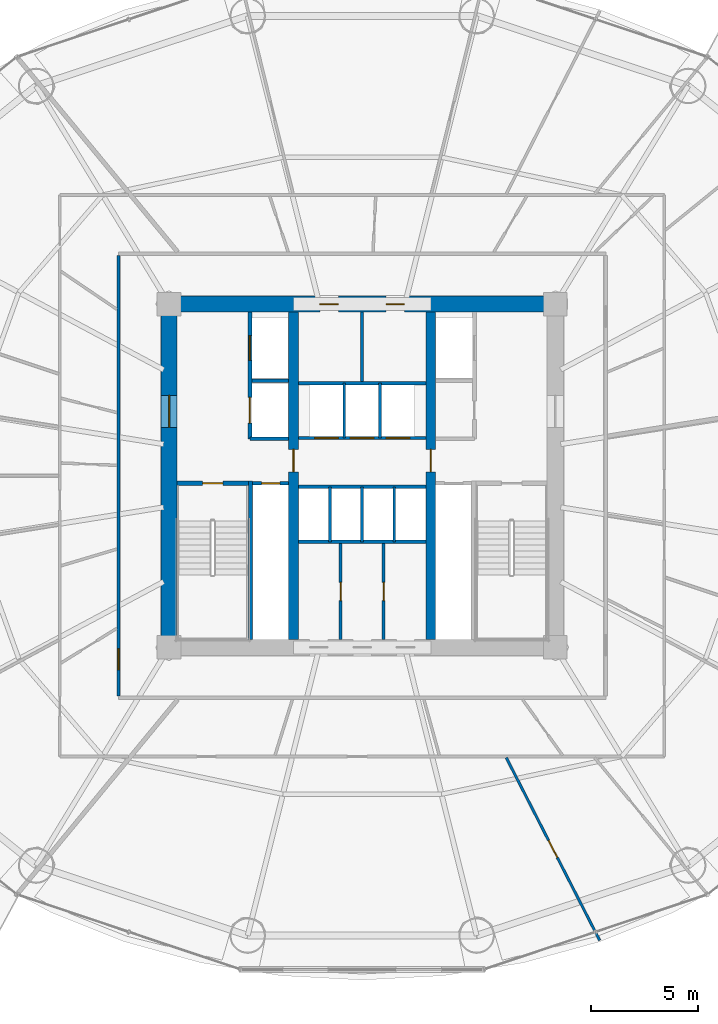
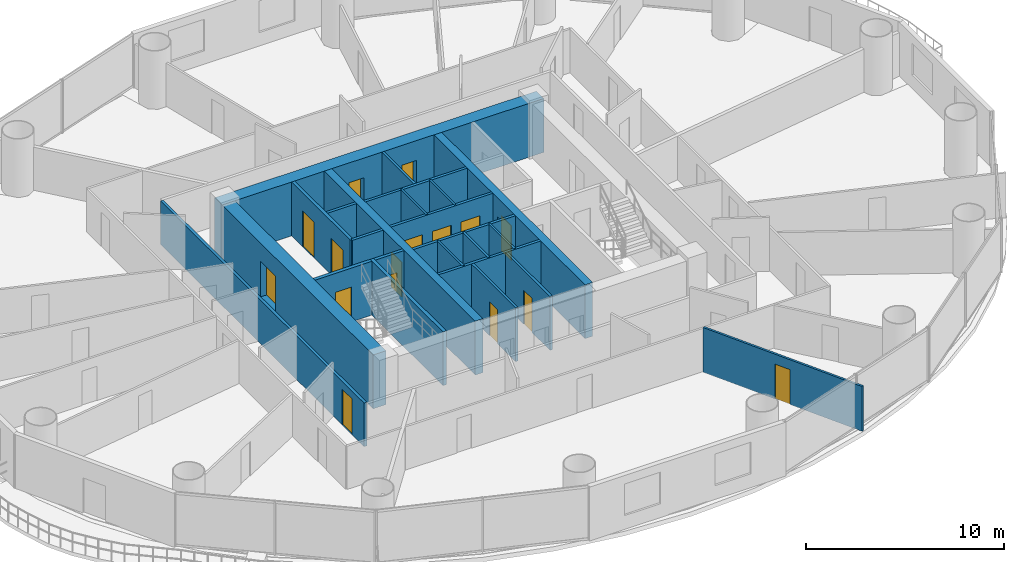
# One storey, part 22 of 28: 24 walls, 16 doors, 16 openings.
"""IFC4 building model written with IfcOpenShell, lengths in metres."""

from ifc_helpers import new_model, si_unit, direction, frame, frame_2d, origin, place, context, subcontext, project, spatial, rectangle, extrude, source, transform, mapped, material, layer, layer_set, type_object, element, fill, save


model = new_model("IFC4")

# Units and contexts
model_context = context("Model", 3, precision=1e-05, world=origin(), true_north=direction((-0.2419218956, 0.970295726276)))
body_context = subcontext(model_context, "Body", "Model", "MODEL_VIEW")
ifc_project = project(units=[si_unit("LENGTHUNIT", "METRE"), si_unit("AREAUNIT", "SQUARE_METRE"), si_unit("VOLUMEUNIT", "CUBIC_METRE"), si_unit("PLANEANGLEUNIT", "RADIAN"), si_unit("MASSUNIT", "GRAM", prefix="KILO")], contexts=[model_context])

# Site, building, storey
site_placement = place(None, origin())
site = spatial("IfcSite", under=ifc_project, at=site_placement, CompositionType="ELEMENT")
building_placement = place(site_placement, origin())
building = spatial("IfcBuilding", under=site, at=building_placement, Name="Cobrevalo Terracotta Tower", CompositionType="ELEMENT")
storey_placement = place(building_placement, frame((0.0, 0.0, 42.0)))
storey = spatial("IfcBuildingStorey", under=building, at=storey_placement, Name="L10", CompositionType="ELEMENT", Elevation=42.0)

# Wall, openings, doors
ifc_material_1 = material(Name="Concrete C60", Category="concrete")
ifc_layer_1 = layer(ifc_material_1, 0.75)
ifc_layer_set_1 = layer_set([ifc_layer_1], Name="Concrete C60")
wall_type_1 = type_object("IfcWallType", Name="Core shear wall 750 mm Concrete C60", PredefinedType="SHEAR", material=ifc_layer_set_1)
wall_1_placement = place(storey_placement, frame((28.625, 34.800048828125, 0.0), z_axis=(0.0, 0.0, 1.0), x_axis=(1.0, 0.0, 0.0)))
wall_1 = element("IfcWall", 1, at=wall_1_placement, inside=storey, type_object=wall_type_1, Name="L10 north core shear wall", PredefinedType="SHEAR", context=body_context, shape_type="SweptSolid", body=[
    extrude(rectangle(XDim=18.75, YDim=0.75, at=frame_2d((9.375, 0.0))), origin(), (0.0, 0.0, 1.0), 3.320068359375),
])
opening_1_placement = place(wall_1_placement, frame((7.407470703125, 0.0, 0.0)))
opening_1 = element("IfcOpeningElement", 2, at=opening_1_placement, cuts=wall_1, Name="Opening ID-07", PredefinedType="OPENING", context=body_context, shape_type="SweptSolid", body=[
    extrude(rectangle(XDim=0.860107421875, YDim=2.10009765625, at=frame_2d((0.43017578125, 1.050048828125))), frame((0.0, 0.385009765625, 0.0), z_axis=(0.0, -1.0, 0.0), x_axis=(1.0, 0.0, 0.0)), (0.0, 0.0, 1.0), 0.77001953125),
])
opening_2_placement = place(wall_1_placement, frame((10.487548828125, 0.0, 0.0)))
opening_2 = element("IfcOpeningElement", 3, at=opening_2_placement, cuts=wall_1, Name="Opening ID-22", PredefinedType="OPENING", context=body_context, shape_type="SweptSolid", body=[
    extrude(rectangle(XDim=0.85009765625, YDim=2.10009765625, at=frame_2d((0.425048828125, 1.050048828125))), frame((0.0, 0.385009765625, 0.0), z_axis=(0.0, -1.0, 0.0), x_axis=(1.0, 0.0, 0.0)), (0.0, 0.0, 1.0), 0.77001953125),
])
ifc_material_2 = material(Name="Powder-coated steel", Category="steel")
door_type_1 = type_object("IfcDoorType", Name="Riser shaft & meter closet fire access door 850x2100 EI 60", OperationType="NOTDEFINED", PredefinedType="DOOR", material=ifc_material_2)
shared_shape_1 = source(origin(), body_context, "Body", "SweptSolid", [
    extrude(rectangle(XDim=0.85009765625, YDim=2.10009765625, at=frame_2d((0.425048828125, 1.050048828125))), frame((0.0, 0.02490234375, 0.0), z_axis=(0.0, -1.0, 0.0), x_axis=(1.0, 0.0, 0.0)), (0.0, 0.0, 1.0), 0.050048828125),
])
door_1_placement = place(opening_2_placement, frame((0.85009765625, 0.0, 0.0), z_axis=(0.0, 0.0, 1.0), x_axis=(-1.0, 0.0, 0.0)))
door_1 = element("IfcDoor", 4, at=door_1_placement, inside=storey, type_object=door_type_1, Name="L10 core north service door Floor Telecom and Metering Plant", OperationType="SINGLE_SWING_RIGHT", OverallHeight=2.10009765625, OverallWidth=0.85009765625, PredefinedType="DOOR", context=body_context, shape_type="MappedRepresentation", body=[
    mapped(shared_shape_1, transform((0.0, 0.0, 0.0), scale=1.0)),
])
fill(opening_2, door_1)
ifc_material_3 = material(Name="Fire-rated moisture-sealed timber", Category="wood")
door_type_2 = type_object("IfcDoorType", Name="Core & podium fire-rated accessible WC door 860x2100 EI 60", OperationType="NOTDEFINED", PredefinedType="DOOR", material=ifc_material_3)
shared_shape_2 = source(origin(), body_context, "Body", "SweptSolid", [
    extrude(rectangle(XDim=0.860107421875, YDim=2.10009765625, at=frame_2d((0.43017578125, 1.050048828125))), frame((0.0, 0.02490234375, 0.0), z_axis=(0.0, -1.0, 0.0), x_axis=(1.0, 0.0, 0.0)), (0.0, 0.0, 1.0), 0.050048828125),
])
door_2_placement = place(opening_1_placement, frame((0.860107421875, 0.0, 0.0), z_axis=(0.0, 0.0, 1.0), x_axis=(-1.0, 0.0, 0.0)))
door_2 = element("IfcDoor", 5, at=door_2_placement, inside=storey, type_object=door_type_2, Name="L10 core north service door Core Accessible Toilet WC", OperationType="SINGLE_SWING_LEFT", OverallHeight=2.10009765625, OverallWidth=0.860107421875, PredefinedType="DOOR", context=body_context, shape_type="MappedRepresentation", body=[
    mapped(shared_shape_2, transform((0.0, 0.0, 0.0), scale=1.0)),
])
fill(opening_1, door_2)

# Wall, opening, door
wall_2_placement = place(storey_placement, frame((29.0, 19.175048828125, 0.0), z_axis=(0.0, 0.0, 1.0), x_axis=(0.0, 1.0, 0.0)))
wall_2 = element("IfcWall", 6, at=wall_2_placement, inside=storey, type_object=wall_type_1, Name="L10 west core shear wall", PredefinedType="SHEAR", context=body_context, shape_type="SweptSolid", body=[
    extrude(rectangle(XDim=15.25, YDim=0.75, at=frame_2d((7.625, 0.0))), origin(), (0.0, 0.0, 1.0), 3.320068359375),
])
opening_3_placement = place(wall_2_placement, frame((9.875, 0.0, 0.0)))
opening_3 = element("IfcOpeningElement", 7, at=opening_3_placement, cuts=wall_2, Name="Opening ID-14", PredefinedType="OPENING", context=body_context, shape_type="SweptSolid", body=[
    extrude(rectangle(XDim=1.5, YDim=2.199951171875, at=frame_2d((0.75, 1.10009765625))), frame((0.0, 0.385009765625, 0.0), z_axis=(0.0, -1.0, 0.0), x_axis=(1.0, 0.0, 0.0)), (0.0, 0.0, 1.0), 0.77001953125),
])
ifc_material_4 = material(Name="Galvanized fire-rated steel", Category="steel")
door_type_3 = type_object("IfcDoorType", Name="Core cross-lobby double fire door 1500x2200 EI 90", OperationType="NOTDEFINED", PredefinedType="DOOR", material=ifc_material_4)
shared_shape_3 = source(origin(), body_context, "Body", "SweptSolid", [
    extrude(rectangle(XDim=1.5, YDim=2.199951171875, at=frame_2d((0.75, 1.10009765625))), frame((0.0, 0.02490234375, 0.0), z_axis=(0.0, -1.0, 0.0), x_axis=(1.0, 0.0, 0.0)), (0.0, 0.0, 1.0), 0.050048828125),
])
door_3_placement = place(opening_3_placement, origin())
door_3 = element("IfcDoor", 8, at=door_3_placement, inside=storey, type_object=door_type_3, Name="L10 west firefighting lobby entrance door", OperationType="DOUBLE_DOOR_SINGLE_SWING", OverallHeight=2.199951171875, OverallWidth=1.5, PredefinedType="DOOR", context=body_context, shape_type="MappedRepresentation", body=[
    mapped(shared_shape_3, transform((0.0, 0.0, 0.0), scale=1.0)),
])
fill(opening_3, door_3)

# Walls
ifc_material_5 = material(Name="Gypsum board on steel stud", Category="steel")
ifc_layer_2 = layer(ifc_material_5, 0.159912109375)
ifc_layer_set_2 = layer_set([ifc_layer_2], Name="Gypsum board on steel stud")
wall_type_2 = type_object("IfcWallType", Name="Fire-rated corridor acoustic partition wall 160 mm", PredefinedType="PARTITIONING", material=ifc_layer_set_2)
wall_3_placement = place(storey_placement, frame((32.860107421875, 31.219970703125, 0.0), z_axis=(0.0, 0.0, 1.0), x_axis=(1.0, 0.0, 0.0)))
element("IfcWall", 9, at=wall_3_placement, inside=storey, type_object=wall_type_2, Name="L10 interior partition IW-L10-FF1-M", PredefinedType="PARTITIONING", context=body_context, shape_type="SweptSolid", body=[
    extrude(rectangle(XDim=1.71484375, YDim=0.159912109375, at=frame_2d((0.857421875, 0.0))), origin(), (0.0, 0.0, 1.0), 3.320068359375),
])
wall_4_placement = place(storey_placement, frame((32.77001953125, 28.52001953125, 0.0), z_axis=(0.0, 0.0, 1.0), x_axis=(1.0, 0.0, 0.0)))
element("IfcWall", 10, at=wall_4_placement, inside=storey, type_object=wall_type_2, Name="L10 interior partition IW-L10-FF1-S", PredefinedType="PARTITIONING", context=body_context, shape_type="SweptSolid", body=[
    extrude(rectangle(XDim=1.804931640625, YDim=0.159912109375, at=frame_2d((0.90234375, 0.0))), origin(), (0.0, 0.0, 1.0), 3.320068359375),
])

# Wall, openings, doors
wall_5_placement = place(storey_placement, frame((35.02490234375, 28.56005859375, 0.0), z_axis=(0.0, 0.0, 1.0), x_axis=(1.0, 0.0, 0.0)))
wall_5 = element("IfcWall", 11, at=wall_5_placement, inside=storey, type_object=wall_type_2, Name="L10 interior partition IW-L10-LB-S", PredefinedType="PARTITIONING", context=body_context, shape_type="SweptSolid", body=[
    extrude(rectangle(XDim=5.9501953125, YDim=0.159912109375, at=frame_2d((2.97509765625, 0.0))), origin(), (0.0, 0.0, 1.0), 3.320068359375),
])
opening_4_placement = place(wall_5_placement, frame((0.760009765625, 0.0, 0.0)))
opening_4 = element("IfcOpeningElement", 12, at=opening_4_placement, cuts=wall_5, Name="Opening LD-01", PredefinedType="OPENING", context=body_context, shape_type="SweptSolid", body=[
    extrude(rectangle(XDim=1.10009765625, YDim=2.199951171875, at=frame_2d((0.550048828125, 1.10009765625))), frame((0.0, 0.08984375, 0.0), z_axis=(0.0, -1.0, 0.0), x_axis=(1.0, 0.0, 0.0)), (0.0, 0.0, 1.0), 0.179931640625),
])
opening_5_placement = place(wall_5_placement, frame((2.425048828125, 0.0, 0.0)))
opening_5 = element("IfcOpeningElement", 13, at=opening_5_placement, cuts=wall_5, Name="Opening LD-01", PredefinedType="OPENING", context=body_context, shape_type="SweptSolid", body=[
    extrude(rectangle(XDim=1.10009765625, YDim=2.199951171875, at=frame_2d((0.550048828125, 1.10009765625))), frame((0.0, 0.08984375, 0.0), z_axis=(0.0, -1.0, 0.0), x_axis=(1.0, 0.0, 0.0)), (0.0, 0.0, 1.0), 0.179931640625),
])
opening_6_placement = place(wall_5_placement, frame((4.090087890625, 0.0, 0.0)))
opening_6 = element("IfcOpeningElement", 14, at=opening_6_placement, cuts=wall_5, Name="Opening LD-01", PredefinedType="OPENING", context=body_context, shape_type="SweptSolid", body=[
    extrude(rectangle(XDim=1.10009765625, YDim=2.199951171875, at=frame_2d((0.550048828125, 1.10009765625))), frame((0.0, 0.08984375, 0.0), z_axis=(0.0, -1.0, 0.0), x_axis=(1.0, 0.0, 0.0)), (0.0, 0.0, 1.0), 0.179931640625),
])
ifc_material_6 = material(Name="Brushed stainless steel", Category="steel")
door_type_4 = type_object("IfcDoorType", Name="Passenger lift landing bi-parting sliding door 1100x2200 EI 90", OperationType="DOUBLE_DOOR_SLIDING", PredefinedType="DOOR", material=ifc_material_6)
shared_shape_4 = source(origin(), body_context, "Body", "SweptSolid", [
    extrude(rectangle(XDim=1.10009765625, YDim=2.199951171875, at=frame_2d((0.550048828125, 1.10009765625))), frame((0.0, 0.02490234375, 0.0), z_axis=(0.0, -1.0, 0.0), x_axis=(1.0, 0.0, 0.0)), (0.0, 0.0, 1.0), 0.050048828125),
])
door_4_placement = place(opening_4_placement, origin())
door_4 = element("IfcDoor", 15, at=door_4_placement, inside=storey, type_object=door_type_4, Name="L10 lift landing door PL-L1", OperationType="DOUBLE_DOOR_SLIDING", OverallHeight=2.199951171875, OverallWidth=1.10009765625, PredefinedType="DOOR", context=body_context, shape_type="MappedRepresentation", body=[
    mapped(shared_shape_4, transform((0.0, 0.0, 0.0), scale=1.0)),
])
fill(opening_4, door_4)
door_5_placement = place(opening_5_placement, origin())
door_5 = element("IfcDoor", 16, at=door_5_placement, inside=storey, type_object=door_type_4, Name="L10 lift landing door PL-L2", OperationType="DOUBLE_DOOR_SLIDING", OverallHeight=2.199951171875, OverallWidth=1.10009765625, PredefinedType="DOOR", context=body_context, shape_type="MappedRepresentation", body=[
    mapped(shared_shape_4, transform((0.0, 0.0, 0.0), scale=1.0)),
])
fill(opening_5, door_5)
door_6_placement = place(opening_6_placement, origin())
door_6 = element("IfcDoor", 17, at=door_6_placement, inside=storey, type_object=door_type_4, Name="L10 lift landing door PL-L3", OperationType="DOUBLE_DOOR_SLIDING", OverallHeight=2.199951171875, OverallWidth=1.10009765625, PredefinedType="DOOR", context=body_context, shape_type="MappedRepresentation", body=[
    mapped(shared_shape_4, transform((0.0, 0.0, 0.0), scale=1.0)),
])
fill(opening_6, door_6)

# Walls
for number, where, z_axis, x_axis, name in (
    (18, (35.02490234375, 31.1201171875, 0.0), (0.0, 0.0, 1.0), (1.0, 0.0, 0.0), "L10 interior partition IW-L10-LB-N"),
    (19, (35.02490234375, 26.280029296875, 0.0), (0.0, 0.0, 1.0), (1.0, 0.0, 0.0), "L10 interior partition IW-L10-MB-N"),
    (20, (35.02490234375, 23.719970703125, 0.0), (0.0, 0.0, 1.0), (1.0, 0.0, 0.0), "L10 interior partition IW-L10-MB-S"),
):
    element("IfcWall", number, at=place(storey_placement, frame(where, z_axis=z_axis, x_axis=x_axis)), inside=storey, type_object=wall_type_2, Name=name, PredefinedType="PARTITIONING", context=body_context, shape_type="SweptSolid", body=[
        extrude(rectangle(XDim=5.9501953125, YDim=0.159912109375, at=frame_2d((2.97509765625, 0.0))), origin(), (0.0, 0.0, 1.0), 3.320068359375),
    ])

# Wall, opening, door
wall_6_placement = place(storey_placement, frame((26.64501953125, 16.52490234375, 0.0), z_axis=(0.0, 0.0, 1.0), x_axis=(0.0, 1.0, 0.0)))
wall_6 = element("IfcWall", 21, at=wall_6_placement, inside=storey, type_object=wall_type_2, Name="L10 interior partition IW-L10-COR-W", PredefinedType="PARTITIONING", context=body_context, shape_type="SweptSolid", body=[
    extrude(rectangle(XDim=20.550048828125, YDim=0.159912109375, at=frame_2d((10.27490234375, 0.0))), origin(), (0.0, 0.0, 1.0), 2.68798828125),
])
opening_7_placement = place(wall_6_placement, frame((1.226318359375, 0.0, 0.0)))
opening_7 = element("IfcOpeningElement", 22, at=opening_7_placement, cuts=wall_6, Name="Opening ID-05", PredefinedType="OPENING", context=body_context, shape_type="SweptSolid", body=[
    extrude(rectangle(XDim=0.97998046875, YDim=2.199951171875, at=frame_2d((0.489990234375, 1.10009765625))), frame((0.0, 0.08984375, 0.0), z_axis=(0.0, -1.0, 0.0), x_axis=(1.0, 0.0, 0.0)), (0.0, 0.0, 1.0), 0.179931640625),
])
ifc_material_7 = material(Name="Solid hardwood timber", Category="wood")
door_type_5 = type_object("IfcDoorType", Name="Residence entrance fire-rated acoustic timber door 980x2200 EI 60", OperationType="NOTDEFINED", PredefinedType="DOOR", material=ifc_material_7)
shared_shape_5 = source(origin(), body_context, "Body", "SweptSolid", [
    extrude(rectangle(XDim=0.97998046875, YDim=2.199951171875, at=frame_2d((0.489990234375, 1.10009765625))), frame((0.0, 0.02490234375, 0.0), z_axis=(0.0, -1.0, 0.0), x_axis=(1.0, 0.0, 0.0)), (0.0, 0.0, 1.0), 0.050048828125),
])
door_7_placement = place(opening_7_placement, origin())
door_7 = element("IfcDoor", 23, at=door_7_placement, inside=storey, type_object=door_type_5, Name="Flat L10B fire-rated apartment entrance door", OperationType="SINGLE_SWING_LEFT", OverallHeight=2.199951171875, OverallWidth=0.97998046875, PredefinedType="DOOR", context=body_context, shape_type="MappedRepresentation", body=[
    mapped(shared_shape_5, transform((0.0, 0.0, 0.0), scale=1.0)),
])
fill(opening_7, door_7)

ifc_layer_3 = layer(ifc_material_5, 0.179931640625)
ifc_layer_set_3 = layer_set([ifc_layer_3], Name="Gypsum board on steel stud")
wall_type_3 = type_object("IfcWallType", Name="Fire-rated shaft & lobby acoustic partition wall 180 mm", PredefinedType="PARTITIONING", material=ifc_layer_set_3)
wall_7_placement = place(storey_placement, frame((32.89990234375, 26.449951171875, 0.0), z_axis=(0.0, 0.0, 1.0), x_axis=(1.0, 0.0, 0.0)))
wall_7 = element("IfcWall", 24, at=wall_7_placement, inside=storey, type_object=wall_type_3, Name="L10 interior partition IW-L10-RSW-N", PredefinedType="PARTITIONING", context=body_context, shape_type="SweptSolid", body=[
    extrude(rectangle(XDim=1.675048828125, YDim=0.179931640625, at=frame_2d((0.83740234375, 0.0))), origin(), (0.0, 0.0, 1.0), 3.320068359375),
])
opening_8_placement = place(wall_7_placement, frame((0.41259765625, 0.0, 0.0)))
opening_8 = element("IfcOpeningElement", 25, at=opening_8_placement, cuts=wall_7, Name="Opening ID-22", PredefinedType="OPENING", context=body_context, shape_type="SweptSolid", body=[
    extrude(rectangle(XDim=0.85009765625, YDim=2.10009765625, at=frame_2d((0.425048828125, 1.050048828125))), frame((0.0, 0.10009765625, 0.0), z_axis=(0.0, -1.0, 0.0), x_axis=(1.0, 0.0, 0.0)), (0.0, 0.0, 1.0), 0.199951171875),
])
door_8_placement = place(opening_8_placement, origin())
door_8 = element("IfcDoor", 26, at=door_8_placement, inside=storey, type_object=door_type_1, Name="L10 riser access door RSW", OperationType="SINGLE_SWING_LEFT", OverallHeight=2.10009765625, OverallWidth=0.85009765625, PredefinedType="DOOR", context=body_context, shape_type="MappedRepresentation", body=[
    mapped(shared_shape_1, transform((0.0, 0.0, 0.0), scale=1.0)),
])
fill(opening_8, door_8)

# Wall, openings, doors
wall_8_placement = place(storey_placement, frame((32.77001953125, 28.52001953125, 0.0), z_axis=(0.0, 0.0, 1.0), x_axis=(0.0, 1.0, 0.0)))
wall_8 = element("IfcWall", 27, at=wall_8_placement, inside=storey, type_object=wall_type_3, Name="L10 interior partition IW-L10-FF1-W", PredefinedType="PARTITIONING", context=body_context, shape_type="SweptSolid", body=[
    extrude(rectangle(XDim=5.905029296875, YDim=0.179931640625, at=frame_2d((2.95263671875, 0.0))), origin(), (0.0, 0.0, 1.0), 3.320068359375),
])
opening_9_placement = place(wall_8_placement, frame((3.655029296875, 0.0, 0.0)))
opening_9 = element("IfcOpeningElement", 28, at=opening_9_placement, cuts=wall_8, Name="Opening LD-02", PredefinedType="OPENING", context=body_context, shape_type="SweptSolid", body=[
    extrude(rectangle(XDim=1.14990234375, YDim=2.199951171875, at=frame_2d((0.574951171875, 1.10009765625))), frame((0.0, 0.10009765625, 0.0), z_axis=(0.0, -1.0, 0.0), x_axis=(1.0, 0.0, 0.0)), (0.0, 0.0, 1.0), 0.199951171875),
])
opening_10_placement = place(wall_8_placement, frame((0.72998046875, 0.0, 0.0)))
opening_10 = element("IfcOpeningElement", 29, at=opening_10_placement, cuts=wall_8, Name="Opening LD-03", PredefinedType="OPENING", context=body_context, shape_type="SweptSolid", body=[
    extrude(rectangle(XDim=1.199951171875, YDim=2.25, at=frame_2d((0.60009765625, 1.125))), frame((0.0, 0.10009765625, 0.0), z_axis=(0.0, -1.0, 0.0), x_axis=(1.0, 0.0, 0.0)), (0.0, 0.0, 1.0), 0.199951171875),
])
door_type_6 = type_object("IfcDoorType", Name="Firefighting lift landing bi-parting sliding door 1150x2200 EI 120", OperationType="DOUBLE_DOOR_SLIDING", PredefinedType="DOOR", material=ifc_material_6)
shared_shape_6 = source(origin(), body_context, "Body", "SweptSolid", [
    extrude(rectangle(XDim=1.14990234375, YDim=2.199951171875, at=frame_2d((0.574951171875, 1.10009765625))), frame((0.0, 0.02490234375, 0.0), z_axis=(0.0, -1.0, 0.0), x_axis=(1.0, 0.0, 0.0)), (0.0, 0.0, 1.0), 0.050048828125),
])
door_9_placement = place(opening_9_placement, origin())
door_9 = element("IfcDoor", 30, at=door_9_placement, inside=storey, type_object=door_type_6, Name="L10 lift landing door FF-1", OperationType="DOUBLE_DOOR_SLIDING", OverallHeight=2.199951171875, OverallWidth=1.14990234375, PredefinedType="DOOR", context=body_context, shape_type="MappedRepresentation", body=[
    mapped(shared_shape_6, transform((0.0, 0.0, 0.0), scale=1.0)),
])
fill(opening_9, door_9)
door_type_7 = type_object("IfcDoorType", Name="Service lift landing bi-parting sliding door 1200x2250 EI 120", OperationType="DOUBLE_DOOR_SLIDING", PredefinedType="DOOR", material=ifc_material_6)
shared_shape_7 = source(origin(), body_context, "Body", "SweptSolid", [
    extrude(rectangle(XDim=1.199951171875, YDim=2.25, at=frame_2d((0.60009765625, 1.125))), frame((0.0, 0.02490234375, 0.0), z_axis=(0.0, -1.0, 0.0), x_axis=(1.0, 0.0, 0.0)), (0.0, 0.0, 1.0), 0.050048828125),
])
door_10_placement = place(opening_10_placement, origin())
door_10 = element("IfcDoor", 31, at=door_10_placement, inside=storey, type_object=door_type_7, Name="L10 lift landing door SV-1", OperationType="DOUBLE_DOOR_SLIDING", OverallHeight=2.25, OverallWidth=1.199951171875, PredefinedType="DOOR", context=body_context, shape_type="MappedRepresentation", body=[
    mapped(shared_shape_7, transform((0.0, 0.0, 0.0), scale=1.0)),
])
fill(opening_10, door_10)

# Walls
ifc_material_8 = material(Name="Autoclaved aerated concrete block", Category="concrete")
ifc_layer_4 = layer(ifc_material_8, 0.1201171875)
ifc_layer_set_4 = layer_set([ifc_layer_4], Name="Autoclaved aerated concrete block")
wall_type_4 = type_object("IfcWallType", Name="Fire-rated wet-room & core service partition 120 mm", PredefinedType="PARTITIONING", material=ifc_layer_set_4)
for number, where, z_axis, x_axis, name in (
    (32, (37.169921875, 28.56005859375, 0.0), (0.0, 0.0, 1.0), (0.0, 1.0, 0.0), "L10 interior partition IW-L10-LB-D1"),
    (33, (38.830078125, 28.56005859375, 0.0), (0.0, 0.0, 1.0), (0.0, 1.0, 0.0), "L10 interior partition IW-L10-LB-D2"),
    (34, (36.5, 23.719970703125, 0.0), (0.0, 0.0, 1.0), (0.0, 1.0, 0.0), "L10 interior partition IW-L10-MB-D1"),
    (35, (39.5, 23.719970703125, 0.0), (0.0, 0.0, 1.0), (0.0, 1.0, 0.0), "L10 interior partition IW-L10-MB-D3"),
):
    element("IfcWall", number, at=place(storey_placement, frame(where, z_axis=z_axis, x_axis=x_axis)), inside=storey, type_object=wall_type_4, Name=name, PredefinedType="PARTITIONING", context=body_context, shape_type="SweptSolid", body=[
        extrude(rectangle(XDim=2.56005859375, YDim=0.1201171875, at=frame_2d((1.280029296875, 0.0))), origin(), (0.0, 0.0, 1.0), 3.320068359375),
    ])

# Wall, opening, door
ifc_material_9 = material(Name="Concrete C55", Category="concrete")
ifc_layer_5 = layer(ifc_material_9, 0.449951171875)
ifc_layer_set_5 = layer_set([ifc_layer_5], Name="Concrete C55")
wall_type_5 = type_object("IfcWallType", Name="Internal core shear web wall 450 mm Concrete C55", PredefinedType="SHEAR", material=ifc_layer_set_5)
wall_9_placement = place(storey_placement, frame((34.800048828125, 19.175048828125, 0.0), z_axis=(0.0, 0.0, 1.0), x_axis=(0.0, 1.0, 0.0)))
wall_9 = element("IfcWall", 36, at=wall_9_placement, inside=storey, type_object=wall_type_5, Name="L10 internal core shear wall WEB-W", PredefinedType="SHEAR", context=body_context, shape_type="SweptSolid", body=[
    extrude(rectangle(XDim=15.25, YDim=0.449951171875, at=frame_2d((7.625, 0.0))), origin(), (0.0, 0.0, 1.0), 3.320068359375),
])
opening_11_placement = place(wall_9_placement, frame((7.800048828125, 0.0, 0.0)))
opening_11 = element("IfcOpeningElement", 37, at=opening_11_placement, cuts=wall_9, Name="Opening ID-11", PredefinedType="OPENING", context=body_context, shape_type="SweptSolid", body=[
    extrude(rectangle(XDim=1.050048828125, YDim=2.14990234375, at=frame_2d((0.52490234375, 1.074951171875))), frame((0.0, 0.23486328125, 0.0), z_axis=(0.0, -1.0, 0.0), x_axis=(1.0, 0.0, 0.0)), (0.0, 0.0, 1.0), 0.469970703125),
])
door_type_8 = type_object("IfcDoorType", Name="Core concourse cross fire door 1050x2150 EI 90", OperationType="NOTDEFINED", PredefinedType="DOOR", material=ifc_material_4)
shared_shape_8 = source(origin(), body_context, "Body", "SweptSolid", [
    extrude(rectangle(XDim=1.050048828125, YDim=2.14990234375, at=frame_2d((0.52490234375, 1.074951171875))), frame((0.0, 0.02490234375, 0.0), z_axis=(0.0, -1.0, 0.0), x_axis=(1.0, 0.0, 0.0)), (0.0, 0.0, 1.0), 0.050048828125),
])
door_11_placement = place(opening_11_placement, origin())
door_11 = element("IfcDoor", 38, at=door_11_placement, inside=storey, type_object=door_type_8, Name="L10 west core concourse cross door", OperationType="SINGLE_SWING_LEFT", OverallHeight=2.14990234375, OverallWidth=1.050048828125, PredefinedType="DOOR", context=body_context, shape_type="MappedRepresentation", body=[
    mapped(shared_shape_8, transform((0.0, 0.0, 0.0), scale=1.0)),
])
fill(opening_11, door_11)

wall_10_placement = place(storey_placement, frame((41.199951171875, 19.175048828125, 0.0), z_axis=(0.0, 0.0, 1.0), x_axis=(0.0, 1.0, 0.0)))
wall_10 = element("IfcWall", 39, at=wall_10_placement, inside=storey, type_object=wall_type_5, Name="L10 internal core shear wall WEB-E", PredefinedType="SHEAR", context=body_context, shape_type="SweptSolid", body=[
    extrude(rectangle(XDim=15.25, YDim=0.449951171875, at=frame_2d((7.625, 0.0))), origin(), (0.0, 0.0, 1.0), 3.320068359375),
])
opening_12_placement = place(wall_10_placement, frame((7.800048828125, 0.0, 0.0)))
opening_12 = element("IfcOpeningElement", 40, at=opening_12_placement, cuts=wall_10, Name="Opening ID-11", PredefinedType="OPENING", context=body_context, shape_type="SweptSolid", body=[
    extrude(rectangle(XDim=1.050048828125, YDim=2.14990234375, at=frame_2d((0.52490234375, 1.074951171875))), frame((0.0, 0.23486328125, 0.0), z_axis=(0.0, -1.0, 0.0), x_axis=(1.0, 0.0, 0.0)), (0.0, 0.0, 1.0), 0.469970703125),
])
door_12_placement = place(opening_12_placement, frame((1.050048828125, 0.0, 0.0), z_axis=(0.0, 0.0, 1.0), x_axis=(-1.0, 0.0, 0.0)))
door_12 = element("IfcDoor", 41, at=door_12_placement, inside=storey, type_object=door_type_8, Name="L10 east core concourse cross door", OperationType="SINGLE_SWING_RIGHT", OverallHeight=2.14990234375, OverallWidth=1.050048828125, PredefinedType="DOOR", context=body_context, shape_type="MappedRepresentation", body=[
    mapped(shared_shape_8, transform((0.0, 0.0, 0.0), scale=1.0)),
])
fill(opening_12, door_12)

# Walls
ifc_layer_6 = layer(ifc_material_8, 0.139892578125)
ifc_layer_set_6 = layer_set([ifc_layer_6], Name="Autoclaved aerated concrete block")
wall_type_6 = type_object("IfcWallType", Name="Moisture-resistant wet-room & core service partition 140 mm", PredefinedType="PARTITIONING", material=ifc_layer_set_6)
wall_11_placement = place(storey_placement, frame((38.0, 31.199951171875, 0.0), z_axis=(0.0, 0.0, 1.0), x_axis=(0.0, 1.0, 0.0)))
element("IfcWall", 42, at=wall_11_placement, inside=storey, type_object=wall_type_6, Name="L10 interior partition IW-L10-KVN-1", PredefinedType="PARTITIONING", context=body_context, shape_type="SweptSolid", body=[
    extrude(rectangle(XDim=3.22509765625, YDim=0.139892578125, at=frame_2d((1.612548828125, 0.0))), origin(), (0.0, 0.0, 1.0), 3.320068359375),
])
wall_12_placement = place(storey_placement, frame((38.0, 23.719970703125, 0.0), z_axis=(0.0, 0.0, 1.0), x_axis=(0.0, 1.0, 0.0)))
element("IfcWall", 43, at=wall_12_placement, inside=storey, type_object=wall_type_6, Name="L10 interior partition IW-L10-MB-D2", PredefinedType="PARTITIONING", context=body_context, shape_type="SweptSolid", body=[
    extrude(rectangle(XDim=2.56005859375, YDim=0.139892578125, at=frame_2d((1.280029296875, 0.0))), origin(), (0.0, 0.0, 1.0), 3.320068359375),
])

# Wall, opening, door
wall_13_placement = place(storey_placement, frame((37.0, 19.175048828125, 0.0), z_axis=(0.0, 0.0, 1.0), x_axis=(0.0, 1.0, 0.0)))
wall_13 = element("IfcWall", 44, at=wall_13_placement, inside=storey, type_object=wall_type_6, Name="L10 interior partition IW-L10-KVS-V1", PredefinedType="PARTITIONING", context=body_context, shape_type="SweptSolid", body=[
    extrude(rectangle(XDim=4.46484375, YDim=0.139892578125, at=frame_2d((2.232421875, 0.0))), origin(), (0.0, 0.0, 1.0), 3.320068359375),
])
opening_13_placement = place(wall_13_placement, frame((1.8076171875, 0.0, 0.0)))
opening_13 = element("IfcOpeningElement", 45, at=opening_13_placement, cuts=wall_13, Name="Opening ID-22", PredefinedType="OPENING", context=body_context, shape_type="SweptSolid", body=[
    extrude(rectangle(XDim=0.85009765625, YDim=2.10009765625, at=frame_2d((0.425048828125, 1.050048828125))), frame((0.0, 0.080078125, 0.0), z_axis=(0.0, -1.0, 0.0), x_axis=(1.0, 0.0, 0.0)), (0.0, 0.0, 1.0), 0.159912109375),
])
door_13_placement = place(opening_13_placement, origin())
door_13 = element("IfcDoor", 46, at=door_13_placement, inside=storey, type_object=door_type_1, Name="L10 core KVS-V1 inner door", OperationType="SINGLE_SWING_LEFT", OverallHeight=2.10009765625, OverallWidth=0.85009765625, PredefinedType="DOOR", context=body_context, shape_type="MappedRepresentation", body=[
    mapped(shared_shape_1, transform((0.0, 0.0, 0.0), scale=1.0)),
])
fill(opening_13, door_13)

wall_14_placement = place(storey_placement, frame((39.0, 19.175048828125, 0.0), z_axis=(0.0, 0.0, 1.0), x_axis=(0.0, 1.0, 0.0)))
wall_14 = element("IfcWall", 47, at=wall_14_placement, inside=storey, type_object=wall_type_6, Name="L10 interior partition IW-L10-KVS-V2", PredefinedType="PARTITIONING", context=body_context, shape_type="SweptSolid", body=[
    extrude(rectangle(XDim=4.46484375, YDim=0.139892578125, at=frame_2d((2.232421875, 0.0))), origin(), (0.0, 0.0, 1.0), 3.320068359375),
])
opening_14_placement = place(wall_14_placement, frame((1.8076171875, 0.0, 0.0)))
opening_14 = element("IfcOpeningElement", 48, at=opening_14_placement, cuts=wall_14, Name="Opening ID-22", PredefinedType="OPENING", context=body_context, shape_type="SweptSolid", body=[
    extrude(rectangle(XDim=0.85009765625, YDim=2.10009765625, at=frame_2d((0.425048828125, 1.050048828125))), frame((0.0, 0.080078125, 0.0), z_axis=(0.0, -1.0, 0.0), x_axis=(1.0, 0.0, 0.0)), (0.0, 0.0, 1.0), 0.159912109375),
])
door_14_placement = place(opening_14_placement, origin())
door_14 = element("IfcDoor", 49, at=door_14_placement, inside=storey, type_object=door_type_1, Name="L10 core KVS-V2 inner door", OperationType="SINGLE_SWING_LEFT", OverallHeight=2.10009765625, OverallWidth=0.85009765625, PredefinedType="DOOR", context=body_context, shape_type="MappedRepresentation", body=[
    mapped(shared_shape_1, transform((0.0, 0.0, 0.0), scale=1.0)),
])
fill(opening_14, door_14)

ifc_layer_7 = layer(ifc_material_5, 0.1201171875)
ifc_layer_set_7 = layer_set([ifc_layer_7], Name="Gypsum board on steel stud")
wall_type_7 = type_object("IfcWallType", Name="Residential internal acoustic stud partition 120 mm", PredefinedType="PARTITIONING", material=ifc_layer_set_7)
wall_15_placement = place(storey_placement, frame((44.716796875, 13.65966796875, 0.0), z_axis=(0.0, 0.0, 1.0), x_axis=(0.455131303234, -0.890424335256, 0.0)))
wall_15 = element("IfcWall", 50, at=wall_15_placement, inside=storey, type_object=wall_type_7, Name="L10 interior partition IW-L10-U3-ORAD1", PredefinedType="PARTITIONING", context=body_context, shape_type="SweptSolid", body=[
    extrude(rectangle(XDim=9.562255859375, YDim=0.1201171875, at=frame_2d((4.78125, 0.0))), origin(), (0.0, 0.0, 1.0), 2.761962890625),
])
opening_15_placement = place(wall_15_placement, frame((4.3310546875, 0.0, 0.0)))
opening_15 = element("IfcOpeningElement", 51, at=opening_15_placement, cuts=wall_15, Name="Opening ID-12", PredefinedType="OPENING", context=body_context, shape_type="SweptSolid", body=[
    extrude(rectangle(XDim=0.89990234375, YDim=2.14990234375, at=frame_2d((0.449951171875, 1.074951171875))), frame((0.0, 0.070068359375, 0.0), z_axis=(0.0, -1.0, 0.0), x_axis=(1.0, 0.0, 0.0)), (0.0, 0.0, 1.0), 0.14013671875),
])
ifc_material_10 = material(Name="Engineered timber", Category="wood")
door_type_9 = type_object("IfcDoorType", Name="Internal residence & suite timber door 900x2150", OperationType="NOTDEFINED", PredefinedType="DOOR", material=ifc_material_10)
shared_shape_9 = source(origin(), body_context, "Body", "SweptSolid", [
    extrude(rectangle(XDim=0.89990234375, YDim=2.14990234375, at=frame_2d((0.449951171875, 1.074951171875))), frame((0.0, 0.02490234375, 0.0), z_axis=(0.0, -1.0, 0.0), x_axis=(1.0, 0.0, 0.0)), (0.0, 0.0, 1.0), 0.050048828125),
])
door_15_placement = place(opening_15_placement, frame((0.89990234375, 0.0, 0.0), z_axis=(0.0, 0.0, 1.0), x_axis=(-1.0, 0.0, 0.0)))
door_15 = element("IfcDoor", 52, at=door_15_placement, inside=storey, type_object=door_type_9, Name="Flat L10C Penthouse Living and Dining Room internal door", OperationType="SINGLE_SWING_LEFT", OverallHeight=2.14990234375, OverallWidth=0.89990234375, PredefinedType="DOOR", context=body_context, shape_type="MappedRepresentation", body=[
    mapped(shared_shape_9, transform((0.0, 0.0, 0.0), scale=1.0)),
])
fill(opening_15, door_15)

# Wall
ifc_material_11 = material(Name="Concrete C50", Category="concrete")
ifc_layer_8 = layer(ifc_material_11, 0.199951171875)
ifc_layer_set_8 = layer_set([ifc_layer_8], Name="Concrete C50")
wall_type_8 = type_object("IfcWallType", Name="Structural core & podium stair-shaft RC wall 200 mm Concrete C50", PredefinedType="SOLIDWALL", material=ifc_layer_set_8)
wall_16_placement = place(storey_placement, frame((32.794921875, 19.175048828125, 0.0), z_axis=(0.0, 0.0, 1.0), x_axis=(0.0, 1.0, 0.0)))
element("IfcWall", 53, at=wall_16_placement, inside=storey, type_object=wall_type_8, Name="L10 ST-1 east structural shaft wall", PredefinedType="SOLIDWALL", context=body_context, shape_type="SweptSolid", body=[
    extrude(rectangle(XDim=7.375, YDim=0.199951171875, at=frame_2d((3.6875, 0.0))), origin(), (0.0, 0.0, 1.0), 3.320068359375),
])

# Wall, opening, door
wall_17_placement = place(storey_placement, frame((29.375, 26.449951171875, 0.0), z_axis=(0.0, 0.0, 1.0), x_axis=(1.0, 0.0, 0.0)))
wall_17 = element("IfcWall", 54, at=wall_17_placement, inside=storey, type_object=wall_type_8, Name="L10 ST-1 north structural shaft wall", PredefinedType="SOLIDWALL", context=body_context, shape_type="SweptSolid", body=[
    extrude(rectangle(XDim=3.320068359375, YDim=0.199951171875, at=frame_2d((1.66015625, 0.0))), origin(), (0.0, 0.0, 1.0), 3.320068359375),
])
opening_16_placement = place(wall_17_placement, frame((1.18505859375, 0.0, 0.0)))
opening_16 = element("IfcOpeningElement", 55, at=opening_16_placement, cuts=wall_17, Name="Opening ID-04", PredefinedType="OPENING", context=body_context, shape_type="SweptSolid", body=[
    extrude(rectangle(XDim=0.949951171875, YDim=2.14990234375, at=frame_2d((0.47509765625, 1.074951171875))), frame((0.0, 0.10986328125, 0.0), z_axis=(0.0, -1.0, 0.0), x_axis=(1.0, 0.0, 0.0)), (0.0, 0.0, 1.0), 0.219970703125),
])
door_type_10 = type_object("IfcDoorType", Name="Stair & firefighting lobby fire door 950x2150 EI 90", OperationType="NOTDEFINED", PredefinedType="DOOR", material=ifc_material_4)
shared_shape_10 = source(origin(), body_context, "Body", "SweptSolid", [
    extrude(rectangle(XDim=0.949951171875, YDim=2.14990234375, at=frame_2d((0.47509765625, 1.074951171875))), frame((0.0, 0.02490234375, 0.0), z_axis=(0.0, -1.0, 0.0), x_axis=(1.0, 0.0, 0.0)), (0.0, 0.0, 1.0), 0.050048828125),
])
door_16_placement = place(opening_16_placement, origin())
door_16 = element("IfcDoor", 56, at=door_16_placement, inside=storey, type_object=door_type_10, Name="L10 protected stair ST1 fire door", OperationType="SINGLE_SWING_LEFT", OverallHeight=2.14990234375, OverallWidth=0.949951171875, PredefinedType="DOOR", context=body_context, shape_type="MappedRepresentation", body=[
    mapped(shared_shape_10, transform((0.0, 0.0, 0.0), scale=1.0)),
])
fill(opening_16, door_16)

save(model, "model.ifc")
